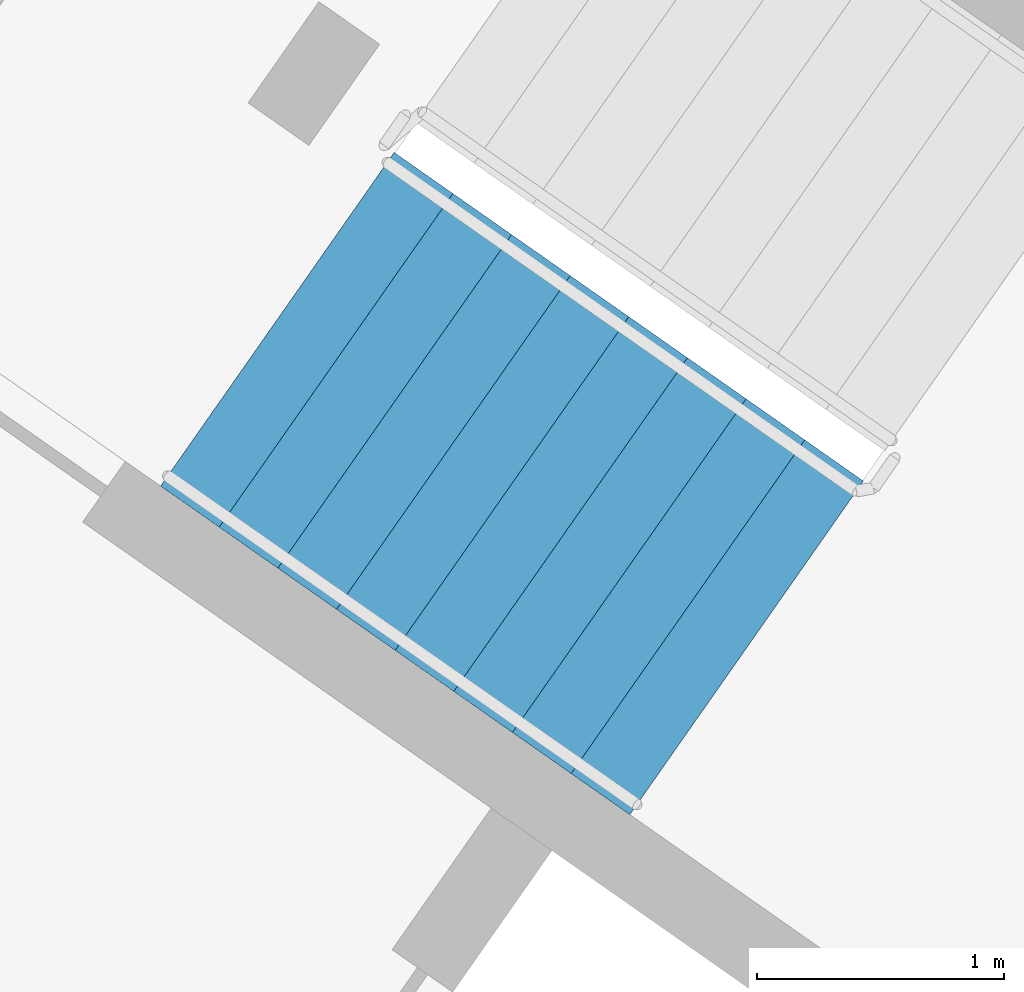
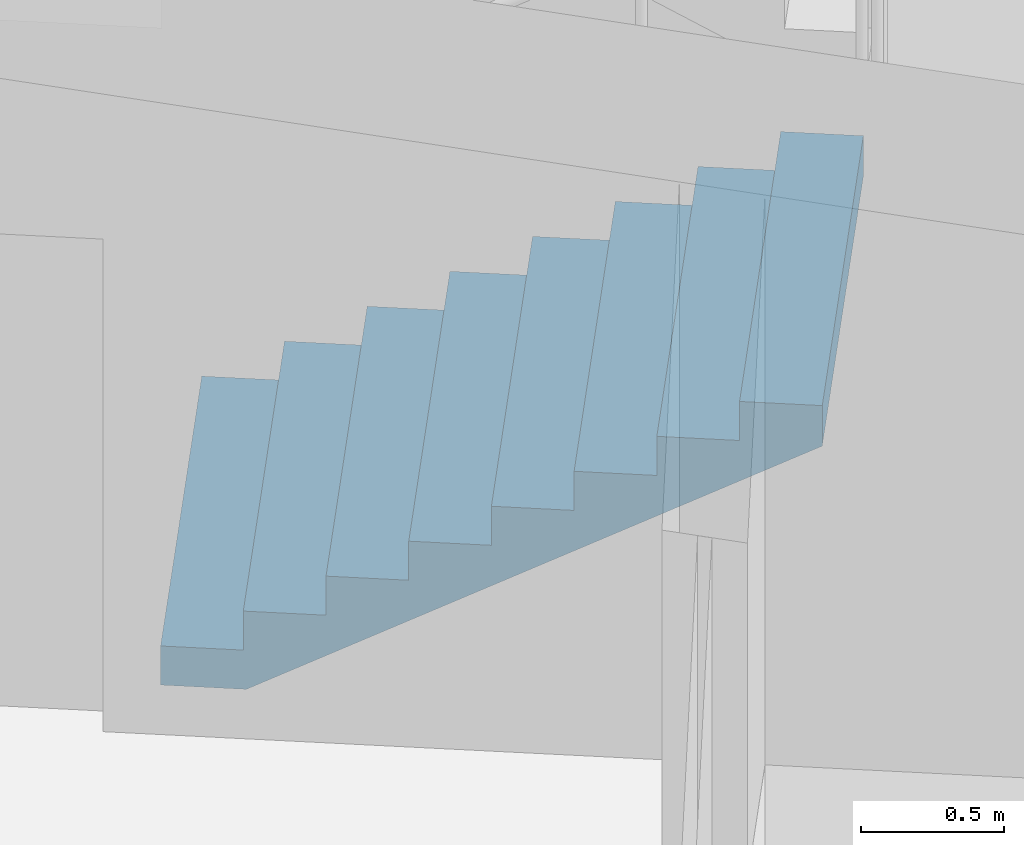
# One storey, part 10 of 41: 1 stair flight, 1 element without a shape of its own.
"""IFC4 building model written with IfcOpenShell, lengths in metres."""

from ifc_helpers import new_model, si_unit, direction, frame, origin, place, context, subcontext, project, spatial, faceted_brep, material, type_object, element, aggregate, save


model = new_model("IFC4")

# Units and contexts
model_context = context("Model", 3, precision=1e-05, world=origin(), true_north=direction((0.0, 1.0)))
body_context = subcontext(model_context, "Body", "Model", "MODEL_VIEW")
ifc_project = project(units=[si_unit("LENGTHUNIT", "METRE"), si_unit("AREAUNIT", "SQUARE_METRE"), si_unit("VOLUMEUNIT", "CUBIC_METRE"), si_unit("PLANEANGLEUNIT", "RADIAN"), si_unit("MASSUNIT", "GRAM", prefix="KILO")], contexts=[model_context])

# Site, building, storey
site_placement = place(None, origin())
site = spatial("IfcSite", under=ifc_project, at=site_placement, CompositionType="ELEMENT")
building_placement = place(site_placement, origin())
building = spatial("IfcBuilding", under=site, at=building_placement, Name="Qamariyya Broadcast Tower", CompositionType="ELEMENT")
storey_placement = place(building_placement, frame((0.0, 0.0, 284.699951171875)))
storey = spatial("IfcBuildingStorey", under=building, at=storey_placement, Name="L69", CompositionType="ELEMENT", Elevation=284.699951171875)

# Stair, stair flight
ifc_material = material(Name="Concrete C50/60", Category="concrete")
stair_type = type_object("IfcStairType", Name="Exit stair 36 risers of 167 mm", PredefinedType="HALF_TURN_STAIR", material=ifc_material)
stair_placement = place(storey_placement, origin())
stair = element("IfcStair", 1, at=stair_placement, inside=storey, type_object=stair_type, Name="L69 Stair W2", PredefinedType="HALF_TURN_STAIR")
stair_flight_type = type_object("IfcStairFlightType", Name="Exit stair flight 9 risers of 167 mm", PredefinedType="STRAIGHT", material=ifc_material)
stair_flight_placement = place(storey_placement, frame((-41.59130859375, -49.15966796875, 0.0), z_axis=(0.0, 0.0, 1.0), x_axis=(0.819152044289, -0.573576436351, 0.0)))
stair_flight = element("IfcStairFlight", 2, at=stair_flight_placement, type_object=stair_flight_type, Name="ST-W2 flight 1", NumberOfRisers=9, NumberOfTreads=8, PredefinedType="STRAIGHT", RiserHeight=0.166666667, TreadLength=0.29, context=body_context, shape_type="Brep", body=[
    faceted_brep([(0.0, 0.824951171875, 0.0), (0.0, 0.824951171875, 0.166748046875), (0.2900390625, 0.824951171875, 0.166748046875), (0.2900390625, 0.824951171875, 0.333251953125), (0.580078125, 0.824951171875, 0.333251953125), (0.580078125, 0.824951171875, 0.5), (0.8701171875, 0.824951171875, 0.5), (0.8701171875, 0.824951171875, 0.666748046875), (1.159912109375, 0.824951171875, 0.666748046875), (1.159912109375, 0.824951171875, 0.833251953125), (1.449951171875, 0.824951171875, 0.833251953125), (1.449951171875, 0.824951171875, 1.0), (1.739990234375, 0.824951171875, 1.0), (1.739990234375, 0.824951171875, 1.166748046875), (2.030029296875, 0.824951171875, 1.166748046875), (2.030029296875, 0.824951171875, 1.333251953125), (2.320068359375, 0.824951171875, 1.333251953125), (2.320068359375, 0.824951171875, 1.160400390625), (0.30078125, 0.824951171875, 0.0), (0.30078125, -0.824951171875, 0.0), (2.320068359375, -0.824951171875, 1.160400390625), (2.320068359375, -0.824951171875, 1.333251953125), (2.030029296875, -0.824951171875, 1.333251953125), (2.030029296875, -0.824951171875, 1.166748046875), (1.739990234375, -0.824951171875, 1.166748046875), (1.739990234375, -0.824951171875, 1.0), (1.449951171875, -0.824951171875, 1.0), (1.449951171875, -0.824951171875, 0.833251953125), (1.159912109375, -0.824951171875, 0.833251953125), (1.159912109375, -0.824951171875, 0.666748046875), (0.8701171875, -0.824951171875, 0.666748046875), (0.8701171875, -0.824951171875, 0.5), (0.580078125, -0.824951171875, 0.5), (0.580078125, -0.824951171875, 0.333251953125), (0.2900390625, -0.824951171875, 0.333251953125), (0.2900390625, -0.824951171875, 0.166748046875), (0.0, -0.824951171875, 0.166748046875), (0.0, -0.824951171875, 0.0), (0.0, 0.10009765625, 0.0), (0.0, 0.086669921875, 0.0), (0.0, 0.0732421875, 0.0), (0.0, 0.06005859375, 0.0), (0.0, 0.046630859375, 0.0), (0.0, 0.033447265625, 0.0), (0.0, 0.02001953125, 0.0), (0.0, 0.006591796875, 0.0), (0.0, -0.006591796875, 0.0), (0.0, -0.02001953125, 0.0), (0.0, -0.033447265625, 0.0), (0.0, -0.046630859375, 0.0), (0.0, -0.06005859375, 0.0), (0.0, -0.0732421875, 0.0), (0.0, -0.086669921875, 0.0), (0.0, -0.10009765625, 0.0), (0.0, -0.10009765625, 0.166748046875), (0.0, -0.086669921875, 0.166748046875), (0.0, -0.0732421875, 0.166748046875), (0.0, -0.06005859375, 0.166748046875), (0.0, -0.046630859375, 0.166748046875), (0.0, -0.033447265625, 0.166748046875), (0.0, -0.02001953125, 0.166748046875), (0.0, -0.006591796875, 0.166748046875), (0.0, 0.006591796875, 0.166748046875), (0.0, 0.02001953125, 0.166748046875), (0.0, 0.033447265625, 0.166748046875), (0.0, 0.046630859375, 0.166748046875), (0.0, 0.06005859375, 0.166748046875), (0.0, 0.0732421875, 0.166748046875), (0.0, 0.086669921875, 0.166748046875), (0.0, 0.10009765625, 0.166748046875), (0.2900390625, -0.10009765625, 0.166748046875), (0.2900390625, -0.086669921875, 0.166748046875), (0.2900390625, -0.0732421875, 0.166748046875), (0.2900390625, -0.06005859375, 0.166748046875), (0.2900390625, -0.046630859375, 0.166748046875), (0.2900390625, -0.033447265625, 0.166748046875), (0.2900390625, -0.02001953125, 0.166748046875), (0.2900390625, -0.006591796875, 0.166748046875), (0.2900390625, 0.006591796875, 0.166748046875), (0.2900390625, 0.02001953125, 0.166748046875), (0.2900390625, 0.033447265625, 0.166748046875), (0.2900390625, 0.046630859375, 0.166748046875), (0.2900390625, 0.06005859375, 0.166748046875), (0.2900390625, 0.0732421875, 0.166748046875), (0.2900390625, 0.086669921875, 0.166748046875), (0.2900390625, 0.10009765625, 0.166748046875), (0.2900390625, -0.10009765625, 0.333251953125), (0.2900390625, -0.086669921875, 0.333251953125), (0.2900390625, -0.0732421875, 0.333251953125), (0.2900390625, -0.06005859375, 0.333251953125), (0.2900390625, -0.046630859375, 0.333251953125), (0.2900390625, -0.033447265625, 0.333251953125), (0.2900390625, -0.02001953125, 0.333251953125), (0.2900390625, -0.006591796875, 0.333251953125), (0.2900390625, 0.006591796875, 0.333251953125), (0.2900390625, 0.02001953125, 0.333251953125), (0.2900390625, 0.033447265625, 0.333251953125), (0.2900390625, 0.046630859375, 0.333251953125), (0.2900390625, 0.06005859375, 0.333251953125), (0.2900390625, 0.0732421875, 0.333251953125), (0.2900390625, 0.086669921875, 0.333251953125), (0.2900390625, 0.10009765625, 0.333251953125), (0.580078125, -0.10009765625, 0.333251953125), (0.580078125, -0.086669921875, 0.333251953125), (0.580078125, -0.0732421875, 0.333251953125), (0.580078125, -0.06005859375, 0.333251953125), (0.580078125, -0.046630859375, 0.333251953125), (0.580078125, -0.033447265625, 0.333251953125), (0.580078125, -0.02001953125, 0.333251953125), (0.580078125, -0.006591796875, 0.333251953125), (0.580078125, 0.006591796875, 0.333251953125), (0.580078125, 0.02001953125, 0.333251953125), (0.580078125, 0.033447265625, 0.333251953125), (0.580078125, 0.046630859375, 0.333251953125), (0.580078125, 0.06005859375, 0.333251953125), (0.580078125, 0.0732421875, 0.333251953125), (0.580078125, 0.086669921875, 0.333251953125), (0.580078125, 0.10009765625, 0.333251953125), (0.580078125, -0.10009765625, 0.5), (0.580078125, -0.086669921875, 0.5), (0.580078125, -0.0732421875, 0.5), (0.580078125, -0.06005859375, 0.5), (0.580078125, -0.046630859375, 0.5), (0.580078125, -0.033447265625, 0.5), (0.580078125, -0.02001953125, 0.5), (0.580078125, -0.006591796875, 0.5), (0.580078125, 0.006591796875, 0.5), (0.580078125, 0.02001953125, 0.5), (0.580078125, 0.033447265625, 0.5), (0.580078125, 0.046630859375, 0.5), (0.580078125, 0.06005859375, 0.5), (0.580078125, 0.0732421875, 0.5), (0.580078125, 0.086669921875, 0.5), (0.580078125, 0.10009765625, 0.5), (0.8701171875, -0.10009765625, 0.5), (0.8701171875, -0.086669921875, 0.5), (0.8701171875, -0.0732421875, 0.5), (0.8701171875, -0.06005859375, 0.5), (0.8701171875, -0.046630859375, 0.5), (0.8701171875, -0.033447265625, 0.5), (0.8701171875, -0.02001953125, 0.5), (0.8701171875, -0.006591796875, 0.5), (0.8701171875, 0.006591796875, 0.5), (0.8701171875, 0.02001953125, 0.5), (0.8701171875, 0.033447265625, 0.5), (0.8701171875, 0.046630859375, 0.5), (0.8701171875, 0.06005859375, 0.5), (0.8701171875, 0.0732421875, 0.5), (0.8701171875, 0.086669921875, 0.5), (0.8701171875, 0.10009765625, 0.5), (0.8701171875, -0.10009765625, 0.666748046875), (0.8701171875, -0.086669921875, 0.666748046875), (0.8701171875, -0.0732421875, 0.666748046875), (0.8701171875, -0.06005859375, 0.666748046875), (0.8701171875, -0.046630859375, 0.666748046875), (0.8701171875, -0.033447265625, 0.666748046875), (0.8701171875, -0.02001953125, 0.666748046875), (0.8701171875, -0.006591796875, 0.666748046875), (0.8701171875, 0.006591796875, 0.666748046875), (0.8701171875, 0.02001953125, 0.666748046875), (0.8701171875, 0.033447265625, 0.666748046875), (0.8701171875, 0.046630859375, 0.666748046875), (0.8701171875, 0.06005859375, 0.666748046875), (0.8701171875, 0.0732421875, 0.666748046875), (0.8701171875, 0.086669921875, 0.666748046875), (0.8701171875, 0.10009765625, 0.666748046875), (1.159912109375, -0.10009765625, 0.666748046875), (1.159912109375, -0.086669921875, 0.666748046875), (1.159912109375, -0.0732421875, 0.666748046875), (1.159912109375, -0.06005859375, 0.666748046875), (1.159912109375, -0.046630859375, 0.666748046875), (1.159912109375, -0.033447265625, 0.666748046875), (1.159912109375, -0.02001953125, 0.666748046875), (1.159912109375, -0.006591796875, 0.666748046875), (1.159912109375, 0.006591796875, 0.666748046875), (1.159912109375, 0.02001953125, 0.666748046875), (1.159912109375, 0.033447265625, 0.666748046875), (1.159912109375, 0.046630859375, 0.666748046875), (1.159912109375, 0.06005859375, 0.666748046875), (1.159912109375, 0.0732421875, 0.666748046875), (1.159912109375, 0.086669921875, 0.666748046875), (1.159912109375, 0.10009765625, 0.666748046875), (1.159912109375, -0.10009765625, 0.833251953125), (1.159912109375, -0.086669921875, 0.833251953125), (1.159912109375, -0.0732421875, 0.833251953125), (1.159912109375, -0.06005859375, 0.833251953125), (1.159912109375, -0.046630859375, 0.833251953125), (1.159912109375, -0.033447265625, 0.833251953125), (1.159912109375, -0.02001953125, 0.833251953125), (1.159912109375, -0.006591796875, 0.833251953125), (1.159912109375, 0.006591796875, 0.833251953125), (1.159912109375, 0.02001953125, 0.833251953125), (1.159912109375, 0.033447265625, 0.833251953125), (1.159912109375, 0.046630859375, 0.833251953125), (1.159912109375, 0.06005859375, 0.833251953125), (1.159912109375, 0.0732421875, 0.833251953125), (1.159912109375, 0.086669921875, 0.833251953125), (1.159912109375, 0.10009765625, 0.833251953125), (1.449951171875, -0.10009765625, 0.833251953125), (1.449951171875, -0.086669921875, 0.833251953125), (1.449951171875, -0.0732421875, 0.833251953125), (1.449951171875, -0.06005859375, 0.833251953125), (1.449951171875, -0.046630859375, 0.833251953125), (1.449951171875, -0.033447265625, 0.833251953125), (1.449951171875, -0.02001953125, 0.833251953125), (1.449951171875, -0.006591796875, 0.833251953125), (1.449951171875, 0.006591796875, 0.833251953125), (1.449951171875, 0.02001953125, 0.833251953125), (1.449951171875, 0.033447265625, 0.833251953125), (1.449951171875, 0.046630859375, 0.833251953125), (1.449951171875, 0.06005859375, 0.833251953125), (1.449951171875, 0.0732421875, 0.833251953125), (1.449951171875, 0.086669921875, 0.833251953125), (1.449951171875, 0.10009765625, 0.833251953125), (1.449951171875, -0.10009765625, 1.0), (1.449951171875, -0.086669921875, 1.0), (1.449951171875, -0.0732421875, 1.0), (1.449951171875, -0.06005859375, 1.0), (1.449951171875, -0.046630859375, 1.0), (1.449951171875, -0.033447265625, 1.0), (1.449951171875, -0.02001953125, 1.0), (1.449951171875, -0.006591796875, 1.0), (1.449951171875, 0.006591796875, 1.0), (1.449951171875, 0.02001953125, 1.0), (1.449951171875, 0.033447265625, 1.0), (1.449951171875, 0.046630859375, 1.0), (1.449951171875, 0.06005859375, 1.0), (1.449951171875, 0.0732421875, 1.0), (1.449951171875, 0.086669921875, 1.0), (1.449951171875, 0.10009765625, 1.0), (1.739990234375, -0.10009765625, 1.0), (1.739990234375, -0.086669921875, 1.0), (1.739990234375, -0.0732421875, 1.0), (1.739990234375, -0.06005859375, 1.0), (1.739990234375, -0.046630859375, 1.0), (1.739990234375, -0.033447265625, 1.0), (1.739990234375, -0.02001953125, 1.0), (1.739990234375, -0.006591796875, 1.0), (1.739990234375, 0.006591796875, 1.0), (1.739990234375, 0.02001953125, 1.0), (1.739990234375, 0.033447265625, 1.0), (1.739990234375, 0.046630859375, 1.0), (1.739990234375, 0.06005859375, 1.0), (1.739990234375, 0.0732421875, 1.0), (1.739990234375, 0.086669921875, 1.0), (1.739990234375, 0.10009765625, 1.0), (1.739990234375, -0.10009765625, 1.166748046875), (1.739990234375, -0.086669921875, 1.166748046875), (1.739990234375, -0.0732421875, 1.166748046875), (1.739990234375, -0.06005859375, 1.166748046875), (1.739990234375, -0.046630859375, 1.166748046875), (1.739990234375, -0.033447265625, 1.166748046875), (1.739990234375, -0.02001953125, 1.166748046875), (1.739990234375, -0.006591796875, 1.166748046875), (1.739990234375, 0.006591796875, 1.166748046875), (1.739990234375, 0.02001953125, 1.166748046875), (1.739990234375, 0.033447265625, 1.166748046875), (1.739990234375, 0.046630859375, 1.166748046875), (1.739990234375, 0.06005859375, 1.166748046875), (1.739990234375, 0.0732421875, 1.166748046875), (1.739990234375, 0.086669921875, 1.166748046875), (1.739990234375, 0.10009765625, 1.166748046875), (2.030029296875, -0.10009765625, 1.166748046875), (2.030029296875, -0.086669921875, 1.166748046875), (2.030029296875, -0.0732421875, 1.166748046875), (2.030029296875, -0.06005859375, 1.166748046875), (2.030029296875, -0.046630859375, 1.166748046875), (2.030029296875, -0.033447265625, 1.166748046875), (2.030029296875, -0.02001953125, 1.166748046875), (2.030029296875, -0.006591796875, 1.166748046875), (2.030029296875, 0.006591796875, 1.166748046875), (2.030029296875, 0.02001953125, 1.166748046875), (2.030029296875, 0.033447265625, 1.166748046875), (2.030029296875, 0.046630859375, 1.166748046875), (2.030029296875, 0.06005859375, 1.166748046875), (2.030029296875, 0.0732421875, 1.166748046875), (2.030029296875, 0.086669921875, 1.166748046875), (2.030029296875, 0.10009765625, 1.166748046875), (2.030029296875, -0.10009765625, 1.333251953125), (2.030029296875, -0.086669921875, 1.333251953125), (2.030029296875, -0.0732421875, 1.333251953125), (2.030029296875, -0.06005859375, 1.333251953125), (2.030029296875, -0.046630859375, 1.333251953125), (2.030029296875, -0.033447265625, 1.333251953125), (2.030029296875, -0.02001953125, 1.333251953125), (2.030029296875, -0.006591796875, 1.333251953125), (2.030029296875, 0.006591796875, 1.333251953125), (2.030029296875, 0.02001953125, 1.333251953125), (2.030029296875, 0.033447265625, 1.333251953125), (2.030029296875, 0.046630859375, 1.333251953125), (2.030029296875, 0.06005859375, 1.333251953125), (2.030029296875, 0.0732421875, 1.333251953125), (2.030029296875, 0.086669921875, 1.333251953125), (2.030029296875, 0.10009765625, 1.333251953125), (2.320068359375, -0.10009765625, 1.333251953125), (2.320068359375, -0.086669921875, 1.333251953125), (2.320068359375, -0.0732421875, 1.333251953125), (2.320068359375, -0.06005859375, 1.333251953125), (2.320068359375, -0.046630859375, 1.333251953125), (2.320068359375, -0.033447265625, 1.333251953125), (2.320068359375, -0.02001953125, 1.333251953125), (2.320068359375, -0.006591796875, 1.333251953125), (2.320068359375, 0.006591796875, 1.333251953125), (2.320068359375, 0.02001953125, 1.333251953125), (2.320068359375, 0.033447265625, 1.333251953125), (2.320068359375, 0.046630859375, 1.333251953125), (2.320068359375, 0.06005859375, 1.333251953125), (2.320068359375, 0.0732421875, 1.333251953125), (2.320068359375, 0.086669921875, 1.333251953125), (2.320068359375, 0.10009765625, 1.333251953125), (2.320068359375, -0.10009765625, 1.160400390625), (2.320068359375, -0.086669921875, 1.160400390625), (2.320068359375, -0.0732421875, 1.160400390625), (2.320068359375, -0.06005859375, 1.160400390625), (2.320068359375, -0.046630859375, 1.160400390625), (2.320068359375, -0.033447265625, 1.160400390625), (2.320068359375, -0.02001953125, 1.160400390625), (2.320068359375, -0.006591796875, 1.160400390625), (2.320068359375, 0.006591796875, 1.160400390625), (2.320068359375, 0.02001953125, 1.160400390625), (2.320068359375, 0.033447265625, 1.160400390625), (2.320068359375, 0.046630859375, 1.160400390625), (2.320068359375, 0.06005859375, 1.160400390625), (2.320068359375, 0.0732421875, 1.160400390625), (2.320068359375, 0.086669921875, 1.160400390625), (2.320068359375, 0.10009765625, 1.160400390625), (0.30078125, -0.10009765625, 0.0), (0.30078125, -0.086669921875, 0.0), (0.30078125, -0.0732421875, 0.0), (0.30078125, -0.06005859375, 0.0), (0.30078125, -0.046630859375, 0.0), (0.30078125, -0.033447265625, 0.0), (0.30078125, -0.02001953125, 0.0), (0.30078125, -0.006591796875, 0.0), (0.30078125, 0.006591796875, 0.0), (0.30078125, 0.02001953125, 0.0), (0.30078125, 0.033447265625, 0.0), (0.30078125, 0.046630859375, 0.0), (0.30078125, 0.06005859375, 0.0), (0.30078125, 0.0732421875, 0.0), (0.30078125, 0.086669921875, 0.0), (0.30078125, 0.10009765625, 0.0)], [[[0, 1, 2, 3, 4, 5, 6, 7, 8, 9, 10, 11, 12, 13, 14, 15, 16, 17, 18]], [[19, 20, 21, 22, 23, 24, 25, 26, 27, 28, 29, 30, 31, 32, 33, 34, 35, 36, 37]], [[0, 38, 39, 40, 41, 42, 43, 44, 45, 46, 47, 48, 49, 50, 51, 52, 53, 37, 36, 54, 55, 56, 57, 58, 59, 60, 61, 62, 63, 64, 65, 66, 67, 68, 69, 1]], [[1, 69, 68, 67, 66, 65, 64, 63, 62, 61, 60, 59, 58, 57, 56, 55, 54, 36, 35, 70, 71, 72, 73, 74, 75, 76, 77, 78, 79, 80, 81, 82, 83, 84, 85, 2]], [[2, 85, 84, 83, 82, 81, 80, 79, 78, 77, 76, 75, 74, 73, 72, 71, 70, 35, 34, 86, 87, 88, 89, 90, 91, 92, 93, 94, 95, 96, 97, 98, 99, 100, 101, 3]], [[3, 101, 100, 99, 98, 97, 96, 95, 94, 93, 92, 91, 90, 89, 88, 87, 86, 34, 33, 102, 103, 104, 105, 106, 107, 108, 109, 110, 111, 112, 113, 114, 115, 116, 117, 4]], [[4, 117, 116, 115, 114, 113, 112, 111, 110, 109, 108, 107, 106, 105, 104, 103, 102, 33, 32, 118, 119, 120, 121, 122, 123, 124, 125, 126, 127, 128, 129, 130, 131, 132, 133, 5]], [[5, 133, 132, 131, 130, 129, 128, 127, 126, 125, 124, 123, 122, 121, 120, 119, 118, 32, 31, 134, 135, 136, 137, 138, 139, 140, 141, 142, 143, 144, 145, 146, 147, 148, 149, 6]], [[6, 149, 148, 147, 146, 145, 144, 143, 142, 141, 140, 139, 138, 137, 136, 135, 134, 31, 30, 150, 151, 152, 153, 154, 155, 156, 157, 158, 159, 160, 161, 162, 163, 164, 165, 7]], [[7, 165, 164, 163, 162, 161, 160, 159, 158, 157, 156, 155, 154, 153, 152, 151, 150, 30, 29, 166, 167, 168, 169, 170, 171, 172, 173, 174, 175, 176, 177, 178, 179, 180, 181, 8]], [[8, 181, 180, 179, 178, 177, 176, 175, 174, 173, 172, 171, 170, 169, 168, 167, 166, 29, 28, 182, 183, 184, 185, 186, 187, 188, 189, 190, 191, 192, 193, 194, 195, 196, 197, 9]], [[9, 197, 196, 195, 194, 193, 192, 191, 190, 189, 188, 187, 186, 185, 184, 183, 182, 28, 27, 198, 199, 200, 201, 202, 203, 204, 205, 206, 207, 208, 209, 210, 211, 212, 213, 10]], [[10, 213, 212, 211, 210, 209, 208, 207, 206, 205, 204, 203, 202, 201, 200, 199, 198, 27, 26, 214, 215, 216, 217, 218, 219, 220, 221, 222, 223, 224, 225, 226, 227, 228, 229, 11]], [[11, 229, 228, 227, 226, 225, 224, 223, 222, 221, 220, 219, 218, 217, 216, 215, 214, 26, 25, 230, 231, 232, 233, 234, 235, 236, 237, 238, 239, 240, 241, 242, 243, 244, 245, 12]], [[12, 245, 244, 243, 242, 241, 240, 239, 238, 237, 236, 235, 234, 233, 232, 231, 230, 25, 24, 246, 247, 248, 249, 250, 251, 252, 253, 254, 255, 256, 257, 258, 259, 260, 261, 13]], [[13, 261, 260, 259, 258, 257, 256, 255, 254, 253, 252, 251, 250, 249, 248, 247, 246, 24, 23, 262, 263, 264, 265, 266, 267, 268, 269, 270, 271, 272, 273, 274, 275, 276, 277, 14]], [[14, 277, 276, 275, 274, 273, 272, 271, 270, 269, 268, 267, 266, 265, 264, 263, 262, 23, 22, 278, 279, 280, 281, 282, 283, 284, 285, 286, 287, 288, 289, 290, 291, 292, 293, 15]], [[15, 293, 292, 291, 290, 289, 288, 287, 286, 285, 284, 283, 282, 281, 280, 279, 278, 22, 21, 294, 295, 296, 297, 298, 299, 300, 301, 302, 303, 304, 305, 306, 307, 308, 309, 16]], [[16, 309, 308, 307, 306, 305, 304, 303, 302, 301, 300, 299, 298, 297, 296, 295, 294, 21, 20, 310, 311, 312, 313, 314, 315, 316, 317, 318, 319, 320, 321, 322, 323, 324, 325, 17]], [[17, 325, 324, 323, 322, 321, 320, 319, 318, 317, 316, 315, 314, 313, 312, 311, 310, 20, 19, 326, 327, 328, 329, 330, 331, 332, 333, 334, 335, 336, 337, 338, 339, 340, 341, 18]], [[18, 341, 340, 339, 338, 337, 336, 335, 334, 333, 332, 331, 330, 329, 328, 327, 326, 19, 37, 53, 52, 51, 50, 49, 48, 47, 46, 45, 44, 43, 42, 41, 40, 39, 38, 0]]]),
])
aggregate(stair, [stair_flight])

save(model, "model.ifc")
